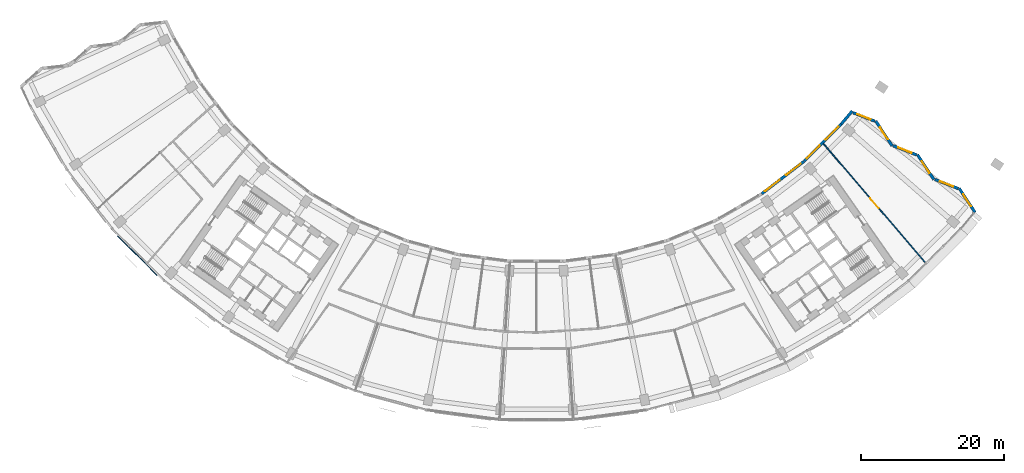
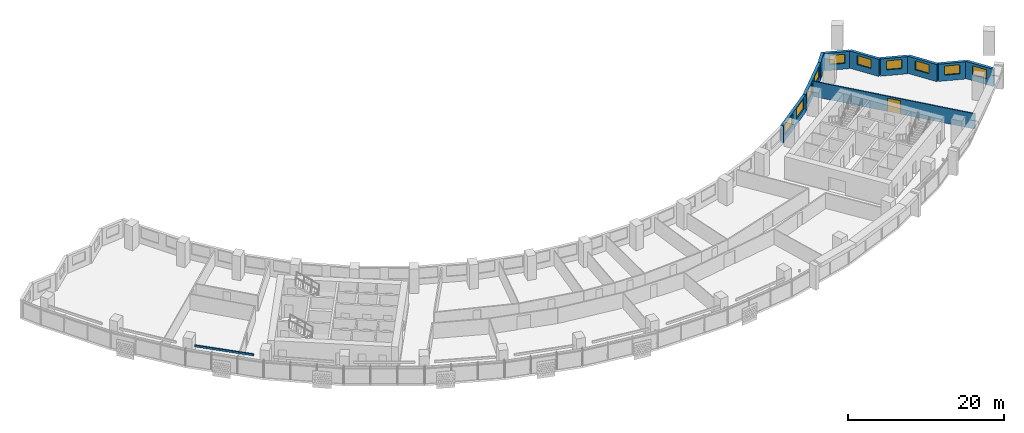
# One storey, part 8 of 29: 10 walls, 10 windows, 1 discrete accessory, 1 door, 11 openings.
"""IFC4 building model written with IfcOpenShell, lengths in metres."""

from ifc_helpers import new_model, si_unit, direction, frame, frame_2d, origin, origin_2d, place, context, subcontext, project, spatial, rectangle, extrude, material, layer, layer_set, type_object, element, fill, save


model = new_model("IFC4")

# Units and contexts
model_context = context("Model", 3, precision=1e-05, world=origin(), true_north=direction((0.0, 1.0)))
body_context = subcontext(model_context, "Body", "Model", "MODEL_VIEW")
ifc_project = project(units=[si_unit("LENGTHUNIT", "METRE"), si_unit("AREAUNIT", "SQUARE_METRE"), si_unit("VOLUMEUNIT", "CUBIC_METRE"), si_unit("PLANEANGLEUNIT", "RADIAN"), si_unit("MASSUNIT", "GRAM", prefix="KILO")], contexts=[model_context])

# Site, building, storey
site_placement = place(None, origin())
site = spatial("IfcSite", under=ifc_project, at=site_placement, CompositionType="ELEMENT")
building_placement = place(site_placement, origin())
building = spatial("IfcBuilding", under=site, at=building_placement, Name="Qamariyya Broadcast Tower", CompositionType="ELEMENT")
storey_placement = place(building_placement, frame((0.0, 0.0, 129.10009765625)))
storey = spatial("IfcBuildingStorey", under=building, at=storey_placement, Name="L29", CompositionType="ELEMENT", Elevation=129.10009765625)

# Wall, opening, door
ifc_material_1 = material(Name="Gypsum board partition")
ifc_layer_1 = layer(ifc_material_1, 0.14990234375)
ifc_layer_set_1 = layer_set([ifc_layer_1], Name="Corridor partition 150 EI 60")
wall_type_1 = type_object("IfcWallType", Name="Corridor partition 150 EI 60", PredefinedType="PARTITIONING", material=ifc_layer_set_1)
wall_1_placement = place(storey_placement, frame((40.267578125, -40.310791015625, 0.0), z_axis=(0.0, 0.0, 1.0), x_axis=(0.650987681244, -0.759088294514, 0.0)))
wall_1 = element("IfcWall", 1, at=wall_1_placement, inside=storey, type_object=wall_type_1, Name="Partition L29-035", PredefinedType="PARTITIONING", context=body_context, shape_type="SweptSolid", body=[
    extrude(rectangle(XDim=22.017822265625, YDim=0.14990234375, at=frame_2d((11.0087890625, 0.0))), origin(), (0.0, 0.0, 1.0), 2.39990234375),
])
opening_1_placement = place(wall_1_placement, frame((10.10888671875, 0.0, 0.0)))
opening_1 = element("IfcOpeningElement", 2, at=opening_1_placement, cuts=wall_1, Name="Opening L29-D16", PredefinedType="OPENING", context=body_context, shape_type="SweptSolid", body=[
    extrude(rectangle(XDim=1.800048828125, YDim=2.10009765625, at=frame_2d((0.89990234375, 1.050048828125))), frame((0.0, 0.0849609375, 0.0), z_axis=(0.0, -1.0, 0.0), x_axis=(1.0, 0.0, 0.0)), (0.0, 0.0, 1.0), 0.169921875),
])
ifc_material_2 = material(Name="Timber fire door leaf", Category="wood")
door_type = type_object("IfcDoorType", Name="Double fire door 1800 x 2100 FD60", OperationType="NOTDEFINED", PredefinedType="DOOR", material=ifc_material_2)
door_placement = place(opening_1_placement, origin())
door = element("IfcDoor", 3, at=door_placement, inside=storey, type_object=door_type, Name="Door L29-D16", OperationType="DOUBLE_DOOR_SINGLE_SWING", OverallHeight=2.10009765625, OverallWidth=1.800048828125, PredefinedType="DOOR", context=body_context, shape_type="SweptSolid", body=[
    extrude(rectangle(XDim=1.800048828125, YDim=2.10009765625, at=frame_2d((0.89990234375, 1.050048828125))), frame((0.0, 0.02490234375, 0.0), z_axis=(0.0, -1.0, 0.0), x_axis=(1.0, 0.0, 0.0)), (0.0, 0.0, 1.0), 0.050048828125),
])
fill(opening_1, door)

# Wall, opening, window
ifc_material_3 = material(Name="Terracotta", Category="masonry")
ifc_layer_2 = layer(ifc_material_3, 0.39990234375)
ifc_layer_set_2 = layer_set([ifc_layer_2], Name="Terracotta clad wall 400")
wall_type_2 = type_object("IfcWallType", Name="Terracotta clad wall 400", PredefinedType="SOLIDWALL", material=ifc_layer_set_2)
wall_2_placement = place(storey_placement, frame((61.536865234375, -49.921142578125, 0.0), z_axis=(0.0, 0.0, 1.0), x_axis=(-0.551312464592, 0.834298847168, 0.0)))
wall_2 = element("IfcWall", 4, at=wall_2_placement, inside=storey, type_object=wall_type_2, Name="e-wl-L29-capE0", PredefinedType="SOLIDWALL", context=body_context, shape_type="SweptSolid", body=[
    extrude(rectangle(XDim=4.013427734375, YDim=0.39990234375, at=frame_2d((2.0068359375, 0.0))), origin(), (0.0, 0.0, 1.0), 2.699951171875),
])
opening_2_placement = place(wall_2_placement, frame((1.0068359375, 0.0, 0.89990234375)))
opening_2 = element("IfcOpeningElement", 5, at=opening_2_placement, cuts=wall_2, Name="Opening W4", PredefinedType="OPENING", context=body_context, shape_type="SweptSolid", body=[
    extrude(rectangle(XDim=2.0, YDim=1.425048828125, at=frame_2d((1.0, 0.71240234375))), frame((0.0, 0.2099609375, 0.0), z_axis=(0.0, -1.0, 0.0), x_axis=(1.0, 0.0, 0.0)), (0.0, 0.0, 1.0), 0.419921875),
])
ifc_material_4 = material(Name="Clear low-e double glazed unit in aluminium frame", Category="aluminium")
window_type_1 = type_object("IfcWindowType", Name="Horn bay window 2000 x 1425", PartitioningType="SINGLE_PANEL", PredefinedType="WINDOW", material=ifc_material_4)
window_1_placement = place(opening_2_placement, origin())
window_1 = element("IfcWindow", 6, at=window_1_placement, inside=storey, type_object=window_type_1, Name="e-w-L29-capE0", OverallHeight=1.425048828125, OverallWidth=2.0, PartitioningType="SINGLE_PANEL", PredefinedType="WINDOW", context=body_context, shape_type="SweptSolid", body=[
    extrude(rectangle(XDim=2.0, YDim=1.425048828125, at=frame_2d((1.0, 0.71240234375))), frame((0.0, 0.030029296875, 0.0), z_axis=(0.0, -1.0, 0.0), x_axis=(1.0, 0.0, 0.0)), (0.0, 0.0, 1.0), 0.06005859375),
])
fill(opening_2, window_1)

wall_3_placement = place(storey_placement, frame((59.1923828125, -46.593017578125, 0.0), z_axis=(0.0, 0.0, 1.0), x_axis=(-0.93233177213, 0.361604019167, 0.0)))
wall_3 = element("IfcWall", 7, at=wall_3_placement, inside=storey, type_object=wall_type_2, Name="e-wl-L29-capE1", PredefinedType="SOLIDWALL", context=body_context, shape_type="SweptSolid", body=[
    extrude(rectangle(XDim=3.525634765625, YDim=0.39990234375, at=frame_2d((1.7626953125, 0.0))), origin(), (0.0, 0.0, 1.0), 2.699951171875),
])
opening_3_placement = place(wall_3_placement, frame((0.762939453125, 0.0, 0.89990234375)))
opening_3 = element("IfcOpeningElement", 8, at=opening_3_placement, cuts=wall_3, Name="Opening W4", PredefinedType="OPENING", context=body_context, shape_type="SweptSolid", body=[
    extrude(rectangle(XDim=2.0, YDim=1.425048828125, at=frame_2d((1.0, 0.71240234375))), frame((0.0, 0.2099609375, 0.0), z_axis=(0.0, -1.0, 0.0), x_axis=(1.0, 0.0, 0.0)), (0.0, 0.0, 1.0), 0.419921875),
])
window_2_placement = place(opening_3_placement, origin())
window_2 = element("IfcWindow", 9, at=window_2_placement, inside=storey, type_object=window_type_1, Name="e-w-L29-capE1", OverallHeight=1.425048828125, OverallWidth=2.0, PartitioningType="SINGLE_PANEL", PredefinedType="WINDOW", context=body_context, shape_type="SweptSolid", body=[
    extrude(rectangle(XDim=2.0, YDim=1.425048828125, at=frame_2d((1.0, 0.71240234375))), frame((0.0, 0.030029296875, 0.0), z_axis=(0.0, -1.0, 0.0), x_axis=(1.0, 0.0, 0.0)), (0.0, 0.0, 1.0), 0.06005859375),
])
fill(opening_3, window_2)

wall_4_placement = place(storey_placement, frame((55.773681640625, -45.33837890625, 0.0), z_axis=(0.0, 0.0, 1.0), x_axis=(-0.551363650443, 0.834265020824, 0.0)))
wall_4 = element("IfcWall", 10, at=wall_4_placement, inside=storey, type_object=wall_type_2, Name="e-wl-L29-capE2", PredefinedType="SOLIDWALL", context=body_context, shape_type="SweptSolid", body=[
    extrude(rectangle(XDim=4.193359375, YDim=0.39990234375, at=frame_2d((2.0966796875, 0.0))), origin(), (0.0, 0.0, 1.0), 2.699951171875),
])
opening_4_placement = place(wall_4_placement, frame((1.0966796875, 0.0, 0.89990234375)))
opening_4 = element("IfcOpeningElement", 11, at=opening_4_placement, cuts=wall_4, Name="Opening W4", PredefinedType="OPENING", context=body_context, shape_type="SweptSolid", body=[
    extrude(rectangle(XDim=2.0, YDim=1.425048828125, at=frame_2d((1.0, 0.71240234375))), frame((0.0, 0.2099609375, 0.0), z_axis=(0.0, -1.0, 0.0), x_axis=(1.0, 0.0, 0.0)), (0.0, 0.0, 1.0), 0.419921875),
])
window_3_placement = place(opening_4_placement, origin())
window_3 = element("IfcWindow", 12, at=window_3_placement, inside=storey, type_object=window_type_1, Name="e-w-L29-capE2", OverallHeight=1.425048828125, OverallWidth=2.0, PartitioningType="SINGLE_PANEL", PredefinedType="WINDOW", context=body_context, shape_type="SweptSolid", body=[
    extrude(rectangle(XDim=2.0, YDim=1.425048828125, at=frame_2d((1.0, 0.71240234375))), frame((0.0, 0.030029296875, 0.0), z_axis=(0.0, -1.0, 0.0), x_axis=(1.0, 0.0, 0.0)), (0.0, 0.0, 1.0), 0.06005859375),
])
fill(opening_4, window_3)

wall_5_placement = place(storey_placement, frame((53.329833984375, -41.860595703125, 0.0), z_axis=(0.0, 0.0, 1.0), x_axis=(-0.932342247772, 0.361577008423, 0.0)))
wall_5 = element("IfcWall", 13, at=wall_5_placement, inside=storey, type_object=wall_type_2, Name="e-wl-L29-capE3", PredefinedType="SOLIDWALL", context=body_context, shape_type="SweptSolid", body=[
    extrude(rectangle(XDim=3.524658203125, YDim=0.39990234375, at=frame_2d((1.76220703125, 0.0))), origin(), (0.0, 0.0, 1.0), 2.699951171875),
])
opening_5_placement = place(wall_5_placement, frame((0.762451171875, 0.0, 0.89990234375)))
opening_5 = element("IfcOpeningElement", 14, at=opening_5_placement, cuts=wall_5, Name="Opening W4", PredefinedType="OPENING", context=body_context, shape_type="SweptSolid", body=[
    extrude(rectangle(XDim=2.0, YDim=1.425048828125, at=frame_2d((1.0, 0.71240234375))), frame((0.0, 0.2099609375, 0.0), z_axis=(0.0, -1.0, 0.0), x_axis=(1.0, 0.0, 0.0)), (0.0, 0.0, 1.0), 0.419921875),
])
window_4_placement = place(opening_5_placement, origin())
window_4 = element("IfcWindow", 15, at=window_4_placement, inside=storey, type_object=window_type_1, Name="e-w-L29-capE3", OverallHeight=1.425048828125, OverallWidth=2.0, PartitioningType="SINGLE_PANEL", PredefinedType="WINDOW", context=body_context, shape_type="SweptSolid", body=[
    extrude(rectangle(XDim=2.0, YDim=1.425048828125, at=frame_2d((1.0, 0.71240234375))), frame((0.0, 0.030029296875, 0.0), z_axis=(0.0, -1.0, 0.0), x_axis=(1.0, 0.0, 0.0)), (0.0, 0.0, 1.0), 0.06005859375),
])
fill(opening_5, window_4)

wall_6_placement = place(storey_placement, frame((49.912109375, -40.6064453125, 0.0), z_axis=(0.0, 0.0, 1.0), x_axis=(-0.551485875937, 0.834184229438, 0.0)))
wall_6 = element("IfcWall", 16, at=wall_6_placement, inside=storey, type_object=wall_type_2, Name="e-wl-L29-capE4", PredefinedType="SOLIDWALL", context=body_context, shape_type="SweptSolid", body=[
    extrude(rectangle(XDim=4.194580078125, YDim=0.39990234375, at=frame_2d((2.09716796875, 0.0))), origin(), (0.0, 0.0, 1.0), 2.699951171875),
])
opening_6_placement = place(wall_6_placement, frame((1.09716796875, 0.0, 0.89990234375)))
opening_6 = element("IfcOpeningElement", 17, at=opening_6_placement, cuts=wall_6, Name="Opening W4", PredefinedType="OPENING", context=body_context, shape_type="SweptSolid", body=[
    extrude(rectangle(XDim=2.0, YDim=1.425048828125, at=frame_2d((1.0, 0.71240234375))), frame((0.0, 0.2099609375, 0.0), z_axis=(0.0, -1.0, 0.0), x_axis=(1.0, 0.0, 0.0)), (0.0, 0.0, 1.0), 0.419921875),
])
window_5_placement = place(opening_6_placement, origin())
window_5 = element("IfcWindow", 18, at=window_5_placement, inside=storey, type_object=window_type_1, Name="e-w-L29-capE4", OverallHeight=1.425048828125, OverallWidth=2.0, PartitioningType="SINGLE_PANEL", PredefinedType="WINDOW", context=body_context, shape_type="SweptSolid", body=[
    extrude(rectangle(XDim=2.0, YDim=1.425048828125, at=frame_2d((1.0, 0.71240234375))), frame((0.0, 0.030029296875, 0.0), z_axis=(0.0, -1.0, 0.0), x_axis=(1.0, 0.0, 0.0)), (0.0, 0.0, 1.0), 0.06005859375),
])
fill(opening_6, window_5)

wall_7_placement = place(storey_placement, frame((47.46728515625, -37.127685546875, 0.0), z_axis=(0.0, 0.0, 1.0), x_axis=(-0.932406933378, 0.36141016946, 0.0)))
wall_7 = element("IfcWall", 19, at=wall_7_placement, inside=storey, type_object=wall_type_2, Name="e-wl-L29-capE5", PredefinedType="SOLIDWALL", context=body_context, shape_type="SweptSolid", body=[
    extrude(rectangle(XDim=3.275634765625, YDim=0.39990234375, at=frame_2d((1.6376953125, 0.0))), origin(), (0.0, 0.0, 1.0), 2.699951171875),
])
opening_7_placement = place(wall_7_placement, frame((0.6376953125, 0.0, 0.89990234375)))
opening_7 = element("IfcOpeningElement", 20, at=opening_7_placement, cuts=wall_7, Name="Opening W4", PredefinedType="OPENING", context=body_context, shape_type="SweptSolid", body=[
    extrude(rectangle(XDim=2.0, YDim=1.425048828125, at=frame_2d((1.0, 0.71240234375))), frame((0.0, 0.2099609375, 0.0), z_axis=(0.0, -1.0, 0.0), x_axis=(1.0, 0.0, 0.0)), (0.0, 0.0, 1.0), 0.419921875),
])
window_6_placement = place(opening_7_placement, origin())
window_6 = element("IfcWindow", 21, at=window_6_placement, inside=storey, type_object=window_type_1, Name="e-w-L29-capE5", OverallHeight=1.425048828125, OverallWidth=2.0, PartitioningType="SINGLE_PANEL", PredefinedType="WINDOW", context=body_context, shape_type="SweptSolid", body=[
    extrude(rectangle(XDim=2.0, YDim=1.425048828125, at=frame_2d((1.0, 0.71240234375))), frame((0.0, 0.030029296875, 0.0), z_axis=(0.0, -1.0, 0.0), x_axis=(1.0, 0.0, 0.0)), (0.0, 0.0, 1.0), 0.06005859375),
])
fill(opening_7, window_6)

# Wall, openings, windows
wall_8_placement = place(storey_placement, frame((37.536865234375, -42.764892578125, 0.0), z_axis=(0.0, 0.0, 1.0), x_axis=(-0.793363487476, -0.608748204711, 0.0)))
wall_8 = element("IfcWall", 22, at=wall_8_placement, inside=storey, type_object=wall_type_2, Name="e-wl-L29-in140", PredefinedType="SOLIDWALL", context=body_context, shape_type="SweptSolid", body=[
    extrude(rectangle(XDim=7.492919921875, YDim=0.39990234375, at=frame_2d((3.74658203125, 0.0))), origin(), (0.0, 0.0, 1.0), 2.699951171875),
])
opening_8_placement = place(wall_8_placement, frame((4.300537109375, 0.0, 0.89990234375)))
opening_8 = element("IfcOpeningElement", 23, at=opening_8_placement, cuts=wall_8, Name="Opening W1", PredefinedType="OPENING", context=body_context, shape_type="SweptSolid", body=[
    extrude(rectangle(XDim=2.60009765625, YDim=1.64990234375, at=frame_2d((1.300048828125, 0.824951171875))), frame((0.0, 0.2099609375, 0.0), z_axis=(0.0, -1.0, 0.0), x_axis=(1.0, 0.0, 0.0)), (0.0, 0.0, 1.0), 0.419921875),
])
opening_9_placement = place(wall_8_placement, frame((0.59228515625, 0.0, 0.89990234375)))
opening_9 = element("IfcOpeningElement", 24, at=opening_9_placement, cuts=wall_8, Name="Opening W1", PredefinedType="OPENING", context=body_context, shape_type="SweptSolid", body=[
    extrude(rectangle(XDim=2.60009765625, YDim=1.64990234375, at=frame_2d((1.300048828125, 0.824951171875))), frame((0.0, 0.2099609375, 0.0), z_axis=(0.0, -1.0, 0.0), x_axis=(1.0, 0.0, 0.0)), (0.0, 0.0, 1.0), 0.419921875),
])
window_type_2 = type_object("IfcWindowType", Name="Ribbon window 2600 x 1650", PartitioningType="SINGLE_PANEL", PredefinedType="WINDOW", material=ifc_material_4)
window_7_placement = place(opening_8_placement, origin())
window_7 = element("IfcWindow", 25, at=window_7_placement, inside=storey, type_object=window_type_2, Name="e-w-L29-in14-0", OverallHeight=1.64990234375, OverallWidth=2.60009765625, PartitioningType="SINGLE_PANEL", PredefinedType="WINDOW", context=body_context, shape_type="SweptSolid", body=[
    extrude(rectangle(XDim=2.60009765625, YDim=1.64990234375, at=frame_2d((1.300048828125, 0.824951171875))), frame((0.0, 0.030029296875, 0.0), z_axis=(0.0, -1.0, 0.0), x_axis=(1.0, 0.0, 0.0)), (0.0, 0.0, 1.0), 0.06005859375),
])
fill(opening_8, window_7)
window_8_placement = place(opening_9_placement, origin())
window_8 = element("IfcWindow", 26, at=window_8_placement, inside=storey, type_object=window_type_2, Name="e-w-L29-in14-1", OverallHeight=1.64990234375, OverallWidth=2.60009765625, PartitioningType="SINGLE_PANEL", PredefinedType="WINDOW", context=body_context, shape_type="SweptSolid", body=[
    extrude(rectangle(XDim=2.60009765625, YDim=1.64990234375, at=frame_2d((1.300048828125, 0.824951171875))), frame((0.0, 0.030029296875, 0.0), z_axis=(0.0, -1.0, 0.0), x_axis=(1.0, 0.0, 0.0)), (0.0, 0.0, 1.0), 0.06005859375),
])
fill(opening_9, window_8)

wall_9_placement = place(storey_placement, frame((42.754150390625, -37.54296875, 0.0), z_axis=(0.0, 0.0, 1.0), x_axis=(-0.707106781187, -0.707106781187, 0.0)))
wall_9 = element("IfcWall", 27, at=wall_9_placement, inside=storey, type_object=wall_type_2, Name="e-wl-L29-in150", PredefinedType="SOLIDWALL", context=body_context, shape_type="SweptSolid", body=[
    extrude(rectangle(XDim=7.35546875, YDim=0.39990234375, at=frame_2d((3.677734375, 0.0))), origin(), (0.0, 0.0, 1.0), 2.699951171875),
])
opening_10_placement = place(wall_9_placement, frame((4.2392578125, 0.0, 0.89990234375)))
opening_10 = element("IfcOpeningElement", 28, at=opening_10_placement, cuts=wall_9, Name="Opening W1", PredefinedType="OPENING", context=body_context, shape_type="SweptSolid", body=[
    extrude(rectangle(XDim=2.60009765625, YDim=1.64990234375, at=frame_2d((1.300048828125, 0.824951171875))), frame((0.0, 0.2099609375, 0.0), z_axis=(0.0, -1.0, 0.0), x_axis=(1.0, 0.0, 0.0)), (0.0, 0.0, 1.0), 0.419921875),
])
opening_11_placement = place(wall_9_placement, frame((0.53076171875, 0.0, 0.89990234375)))
opening_11 = element("IfcOpeningElement", 29, at=opening_11_placement, cuts=wall_9, Name="Opening W1", PredefinedType="OPENING", context=body_context, shape_type="SweptSolid", body=[
    extrude(rectangle(XDim=2.60009765625, YDim=1.64990234375, at=frame_2d((1.300048828125, 0.824951171875))), frame((0.0, 0.2099609375, 0.0), z_axis=(0.0, -1.0, 0.0), x_axis=(1.0, 0.0, 0.0)), (0.0, 0.0, 1.0), 0.419921875),
])
window_9_placement = place(opening_10_placement, origin())
window_9 = element("IfcWindow", 30, at=window_9_placement, inside=storey, type_object=window_type_2, Name="e-w-L29-in15-0", OverallHeight=1.64990234375, OverallWidth=2.60009765625, PartitioningType="SINGLE_PANEL", PredefinedType="WINDOW", context=body_context, shape_type="SweptSolid", body=[
    extrude(rectangle(XDim=2.60009765625, YDim=1.64990234375, at=frame_2d((1.300048828125, 0.824951171875))), frame((0.0, 0.030029296875, 0.0), z_axis=(0.0, -1.0, 0.0), x_axis=(1.0, 0.0, 0.0)), (0.0, 0.0, 1.0), 0.06005859375),
])
fill(opening_10, window_9)
window_10_placement = place(opening_11_placement, origin())
window_10 = element("IfcWindow", 31, at=window_10_placement, inside=storey, type_object=window_type_2, Name="e-w-L29-in15-1", OverallHeight=1.64990234375, OverallWidth=2.60009765625, PartitioningType="SINGLE_PANEL", PredefinedType="WINDOW", context=body_context, shape_type="SweptSolid", body=[
    extrude(rectangle(XDim=2.60009765625, YDim=1.64990234375, at=frame_2d((1.300048828125, 0.824951171875))), frame((0.0, 0.030029296875, 0.0), z_axis=(0.0, -1.0, 0.0), x_axis=(1.0, 0.0, 0.0)), (0.0, 0.0, 1.0), 0.06005859375),
])
fill(opening_11, window_10)

# Wall
wall_10_placement = place(storey_placement, frame((44.302001953125, -35.7080078125, 0.0), z_axis=(0.0, 0.0, 1.0), x_axis=(-0.643924404091, -0.765089120179, 0.0)))
element("IfcWall", 32, at=wall_10_placement, inside=storey, type_object=wall_type_2, Name="e-wl-L29-in160", PredefinedType="SOLIDWALL", context=body_context, shape_type="SweptSolid", body=[
    extrude(rectangle(XDim=2.3837890625, YDim=0.39990234375, at=frame_2d((1.19189453125, 0.0))), origin(), (0.0, 0.0, 1.0), 2.699951171875),
])

# Discrete accessory
ifc_material_5 = material(Name="Stainless steel 316", Category="steel")
discrete_accessory_type = type_object("IfcDiscreteAccessoryType", Name="Slab edge fixing angle, stainless steel", PredefinedType="BRACKET", material=ifc_material_5)
discrete_accessory_placement = place(storey_placement, frame((-56.006591796875, -56.006591796875, 3.2998046875), z_axis=(0.0, 0.0, 1.0), x_axis=(0.707106781187, -0.707106781187, 0.0)))
element("IfcDiscreteAccessory", 33, at=discrete_accessory_placement, inside=storey, type_object=discrete_accessory_type, Name="e-br-L29-03-0", PredefinedType="BRACKET", context=body_context, shape_type="SweptSolid", body=[
    extrude(rectangle(XDim=7.879638671875, YDim=0.14990234375, at=origin_2d()), origin(), (0.0, 0.0, 1.0), 0.300048828125),
])

save(model, "model.ifc")
